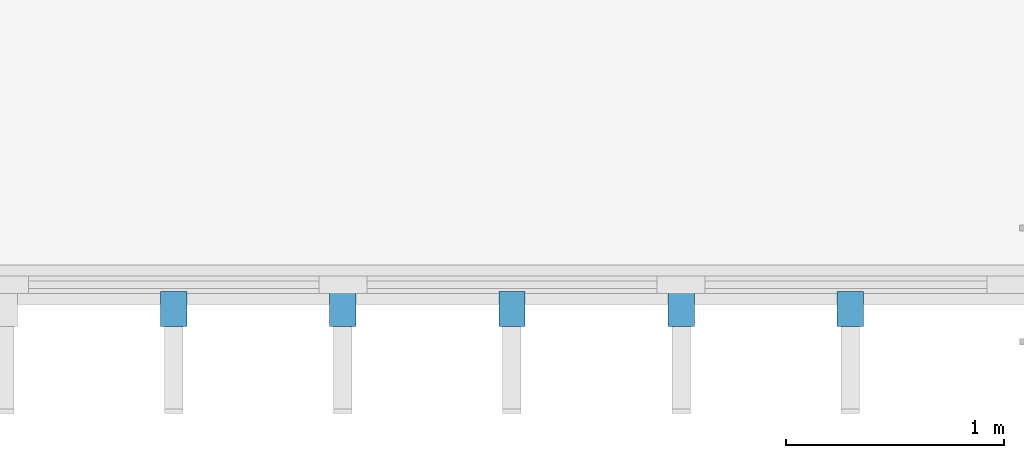
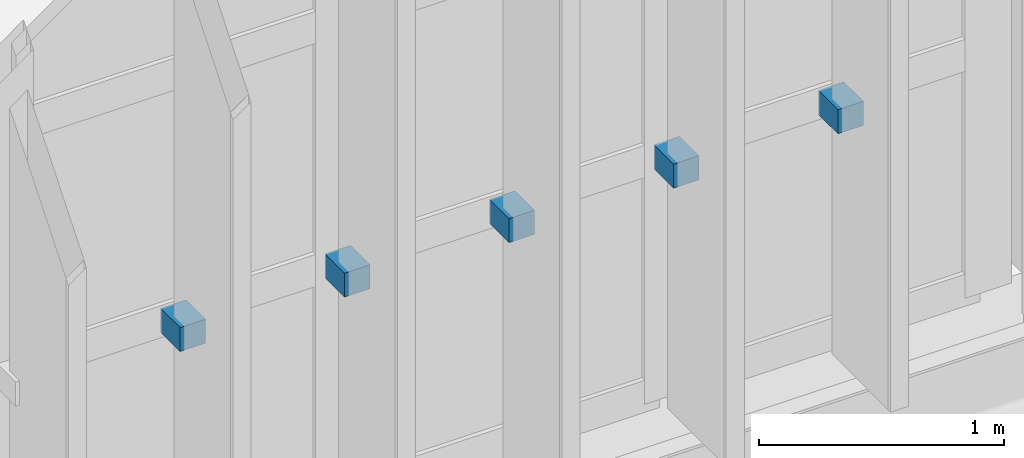
# One storey, part 35 of 52: 5 discrete accessories.
"""IFC4 building model written with IfcOpenShell, lengths in metres."""

from ifc_helpers import new_model, si_unit, direction, frame, origin, origin_2d, place, context, subcontext, project, spatial, rectangle, extrude, material, type_object, element, save


model = new_model("IFC4")

# Units and contexts
model_context = context("Model", 3, precision=1e-05, world=origin(), true_north=direction((0.0, 1.0)))
body_context = subcontext(model_context, "Body", "Model", "MODEL_VIEW")
ifc_project = project(units=[si_unit("LENGTHUNIT", "METRE"), si_unit("AREAUNIT", "SQUARE_METRE"), si_unit("VOLUMEUNIT", "CUBIC_METRE"), si_unit("PLANEANGLEUNIT", "RADIAN"), si_unit("MASSUNIT", "GRAM", prefix="KILO")], contexts=[model_context])

# Site, building, storey
site_placement = place(None, origin())
site = spatial("IfcSite", under=ifc_project, at=site_placement, CompositionType="ELEMENT")
building_placement = place(site_placement, origin())
building = spatial("IfcBuilding", under=site, at=building_placement, Name="Zarnetskaya Central Station", CompositionType="ELEMENT")
storey_placement = place(building_placement, frame((0.0, 0.0, 14.39990234375)))
storey = spatial("IfcBuildingStorey", under=building, at=storey_placement, Name="L03", CompositionType="ELEMENT", Elevation=14.39990234375)

# Discrete accessories
ifc_material = material(Name="Steel S355", Category="steel")
discrete_accessory_type = type_object("IfcDiscreteAccessoryType", Name="ACC-FIN-BRACKET", PredefinedType="BRACKET", material=ifc_material)
for number, where, z_axis, x_axis, name in (
    (1, (47.074951171875, -0.110107421875, 1.150146484375), (0.0, 0.0, 1.0), (-1.0, 0.0, 0.0), "Timber fin fixing bracket CW-L03-042-01"),
    (2, (46.300048828125, -0.110107421875, 1.150146484375), (0.0, 0.0, 1.0), (-1.0, 0.0, 0.0), "Timber fin fixing bracket CW-L03-042-02"),
    (3, (45.52490234375, -0.110107421875, 1.150146484375), (0.0, 0.0, 1.0), (-1.0, 0.0, 0.0), "Timber fin fixing bracket CW-L03-042-03"),
    (4, (44.75, -0.110107421875, 1.150146484375), (0.0, 0.0, 1.0), (-1.0, 0.0, 0.0), "Timber fin fixing bracket CW-L03-042-04"),
    (5, (43.97509765625, -0.110107421875, 1.150146484375), (0.0, 0.0, 1.0), (-1.0, 0.0, 0.0), "Timber fin fixing bracket CW-L03-042-05"),
):
    element("IfcDiscreteAccessory", number, at=place(storey_placement, frame(where, z_axis=z_axis, x_axis=x_axis)), inside=storey, type_object=discrete_accessory_type, Name=name, PredefinedType="BRACKET", context=body_context, shape_type="SweptSolid", body=[
        extrude(rectangle(XDim=0.1201171875, YDim=0.159912109375, at=origin_2d()), origin(), (0.0, 0.0, 1.0), 0.1201171875),
    ])

save(model, "model.ifc")
